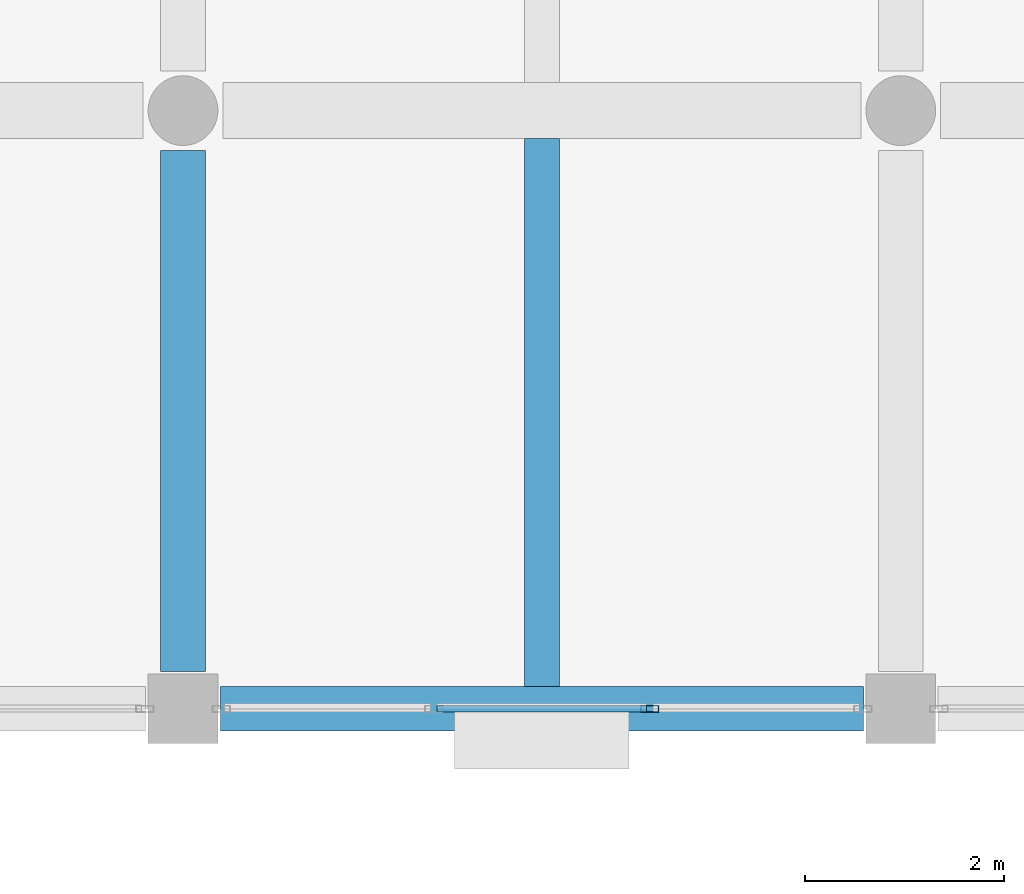
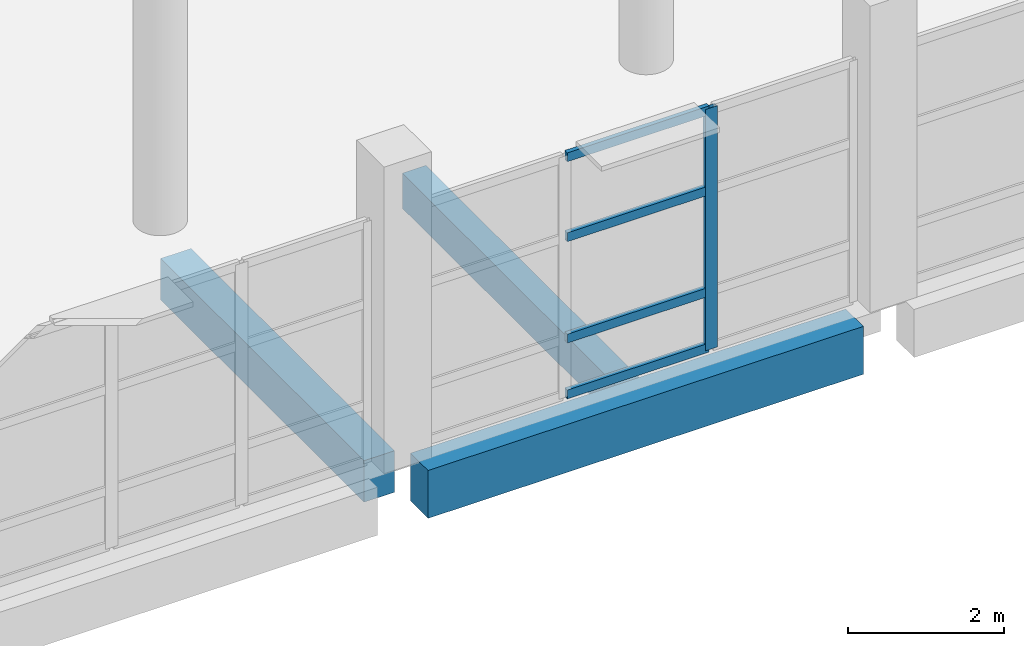
# One storey, part 19 of 91: 5 members, 3 beams, 1 element without a shape of its own.
"""IFC4 building model written with IfcOpenShell, lengths in metres."""

import ifcopenshell
import ifcopenshell.guid

model = None  # the IFC model being written
_history = None  # IfcOwnerHistory: only IFC2X3 demands one
_inside = {}  # id of a spatial element -> (the spatial element, [elements in it])
_under = {}  # id of a project, library or spatial element -> (it, [spatial elements below it])
_declared = {}  # id of a project -> (the project, [libraries it declares])
_typed = {}  # id of a type object -> (the type object, [elements of that type])
_made_of = {}  # id of a material, layer set ... -> (it, [elements and type objects made of it])


def new_model(schema):
    """Start an empty IFC model of exactly this schema.

    Asked for "IFC4X3", IfcOpenShell would pick the latest addendum, in which some entities
    have other attributes; the version numbers below select the first issue.
    IFC2X3 requires an IfcOwnerHistory on every rooted entity: one is made here for all.
    """
    global model, _history
    if schema == "IFC4X3":
        model = ifcopenshell.file(schema_version=(4, 3, 0, 0))
    else:
        model = ifcopenshell.file(schema=schema)
    _inside.clear()
    _under.clear()
    _declared.clear()
    _typed.clear()
    _made_of.clear()
    _history = None
    if model.schema == "IFC2X3":
        org = make("IfcOrganization", Name="unknown")
        user = make(
            "IfcPersonAndOrganization",
            ThePerson=make("IfcPerson", FamilyName="unknown"),
            TheOrganization=org,
        )
        app = make(
            "IfcApplication",
            ApplicationDeveloper=org,
            Version="unknown",
            ApplicationFullName="unknown",
            ApplicationIdentifier="unknown",
        )
        _history = make(
            "IfcOwnerHistory",
            OwningUser=user,
            OwningApplication=app,
            ChangeAction="ADDED",
            CreationDate=0,
        )
    return model


def make(cls, **values):
    """One entity of the class cls with the attributes given. An attribute that is None is left unset."""
    return model.create_entity(
        cls, **{name: value for name, value in values.items() if value is not None}
    )


def rooted(cls, **values):
    """An entity with a GlobalId (a new one), such as an element, a storey or a relation."""
    return make(cls, GlobalId=ifcopenshell.guid.new(), OwnerHistory=_history, **values)


def si_unit(unit_type, name, prefix=None):
    """IfcSIUnit, for example si_unit("LENGTHUNIT", "METRE", prefix="MILLI")."""
    return make("IfcSIUnit", UnitType=unit_type, Prefix=prefix, Name=name)


def assignment(units):
    """IfcUnitAssignment: the units of a project."""
    return None if units is None else make("IfcUnitAssignment", Units=units)


def point(xyz):
    """IfcCartesianPoint."""
    return None if xyz is None else make("IfcCartesianPoint", Coordinates=xyz)


def direction(xyz):
    """IfcDirection."""
    return None if xyz is None else make("IfcDirection", DirectionRatios=xyz)


def frame(location, z_axis=None, x_axis=None):
    """IfcAxis2Placement3D, a coordinate frame: its origin and axes. An axis left out is left unset."""
    return make(
        "IfcAxis2Placement3D",
        Location=point(location),
        Axis=direction(z_axis),
        RefDirection=direction(x_axis),
    )


def frame_2d(location, x_axis=None):
    """IfcAxis2Placement2D, a coordinate frame in the plane: its origin and x axis."""
    return make(
        "IfcAxis2Placement2D", Location=point(location), RefDirection=direction(x_axis)
    )


def origin():
    """The frame at (0, 0, 0) with its axes left unset."""
    return frame((0.0, 0.0, 0.0))


def origin_2d():
    """The frame at (0, 0) in the plane with its x axis left unset."""
    return frame_2d((0.0, 0.0))


def place(relative_to, where):
    """IfcLocalPlacement: puts the frame where relative to a parent placement (None: the world)."""
    return make(
        "IfcLocalPlacement", PlacementRelTo=relative_to, RelativePlacement=where
    )


def context(
    kind, dimensions, precision=None, world=None, true_north=None, identifier=None
):
    """IfcGeometricRepresentationContext, for example the 3D "Model" context."""
    return make(
        "IfcGeometricRepresentationContext",
        ContextIdentifier=identifier,
        ContextType=kind,
        CoordinateSpaceDimension=dimensions,
        Precision=precision,
        WorldCoordinateSystem=world,
        TrueNorth=true_north,
    )


def subcontext(parent, identifier, kind, view, scale=None):
    """IfcGeometricRepresentationSubContext, for example "Body" below "Model"."""
    return make(
        "IfcGeometricRepresentationSubContext",
        ContextIdentifier=identifier,
        ContextType=kind,
        ParentContext=parent,
        TargetScale=scale,
        TargetView=view,
    )


def project(units=None, contexts=None):
    """IfcProject with its units and contexts."""
    return rooted(
        "IfcProject",
        Name="project",
        RepresentationContexts=contexts,
        UnitsInContext=assignment(units),
    )


def spatial(cls, under=None, at=None, **own):
    """A site, building, storey or space (cls), placed at a placement, below another one or the project."""
    s = rooted(cls, ObjectPlacement=at, **own)
    if under is not None:
        _under.setdefault(under.id(), (under, []))[1].append(s)
    return s


def profile(cls, at=None, kind="AREA", **sizes):
    """A parametric profile (cls). Its sizes go by their IFC names, for example OverallWidth=200.0."""
    return make(cls, ProfileType=kind, Position=at, **sizes)


def rectangle(**sizes):
    """IfcRectangleProfileDef."""
    return profile("IfcRectangleProfileDef", **sizes)


def hollow_rectangle(**sizes):
    """IfcRectangleHollowProfileDef."""
    return profile("IfcRectangleHollowProfileDef", **sizes)


def extrude(swept, where, along, depth):
    """IfcExtrudedAreaSolid: the profile swept, set in the frame where, extruded along a direction by depth."""
    return make(
        "IfcExtrudedAreaSolid",
        SweptArea=swept,
        Position=where,
        ExtrudedDirection=direction(along),
        Depth=depth,
    )


def shape(context_of_items, identifier, shape_type, items):
    """IfcShapeRepresentation: the items that make up one representation, for example the "Body"."""
    return make(
        "IfcShapeRepresentation",
        ContextOfItems=context_of_items,
        RepresentationIdentifier=identifier,
        RepresentationType=shape_type,
        Items=items,
    )


def material(Name=None, Category=None):
    """IfcMaterial."""
    return make("IfcMaterial", Name=Name, Category=Category)


def material_profile(
    of_material, cross_section, Name=None, Category=None, Priority=None
):
    """IfcMaterialProfile: a cross section and its material."""
    return make(
        "IfcMaterialProfile",
        Name=Name,
        Material=of_material,
        Profile=cross_section,
        Priority=Priority,
        Category=Category,
    )


def profile_set(profiles, Name=None, composite=None):
    """IfcMaterialProfileSet."""
    return make(
        "IfcMaterialProfileSet",
        Name=Name,
        MaterialProfiles=profiles,
        CompositeProfile=composite,
    )


def made_of(thing, what):
    """Note that an element or type object is made of a material, layer set ...; save() writes the relation."""
    if what is not None:
        _made_of.setdefault(what.id(), (what, []))[1].append(thing)
    return thing


def type_object(cls, material=None, **own):
    """A type object (cls), such as IfcWallType, which elements share."""
    return made_of(rooted(cls, **own), material)


def element(
    cls,
    number,
    at=None,
    inside=None,
    cuts=None,
    type_object=None,
    material=None,
    context=None,
    identifier="Body",
    shape_type=None,
    held_by="IfcProductDefinitionShape",
    body=None,
    shapes=None,
    **own,
):
    """One element of the class cls, such as IfcWall. Its Tag is "e" and its number.

    at: its placement. inside: the storey or other place that contains it. cuts: it is an
    opening in that element (IfcRelVoidsElement). A single representation is given by context,
    identifier, shape_type and body (its items); several are given by shapes. held_by: the class
    of the entity that holds the representations. save() writes the other relations.
    """
    e = rooted(cls, Tag="e%d" % number, ObjectPlacement=at, **own)
    if body is not None:
        shapes = [shape(context, identifier, shape_type, body)]
    if shapes is not None:
        e.Representation = make(held_by, Representations=shapes)
    if inside is not None:
        _inside.setdefault(inside.id(), (inside, []))[1].append(e)
    if cuts is not None:
        rooted(
            "IfcRelVoidsElement", RelatingBuildingElement=cuts, RelatedOpeningElement=e
        )
    if type_object is not None:
        _typed.setdefault(type_object.id(), (type_object, []))[1].append(e)
    return made_of(e, material)


def aggregate(whole, parts):
    """IfcRelAggregates: a whole, such as a stair, and the parts it consists of."""
    return rooted("IfcRelAggregates", RelatingObject=whole, RelatedObjects=parts)


def save(model, path):
    """Write the relations noted so far, then the file.

    IfcRelAggregates (storeys below a building ...), IfcRelContainedInSpatialStructure (elements
    in a storey), IfcRelDefinesByType, IfcRelAssociatesMaterial and IfcRelDeclares: one each for
    every whole, place, type object, material and project.
    """
    for whole, parts in _under.values():
        aggregate(whole, parts)
    for where, things in _inside.values():
        rooted(
            "IfcRelContainedInSpatialStructure",
            RelatedElements=things,
            RelatingStructure=where,
        )
    for kind, things in _typed.values():
        rooted("IfcRelDefinesByType", RelatedObjects=things, RelatingType=kind)
    for what, things in _made_of.values():
        rooted("IfcRelAssociatesMaterial", RelatedObjects=things, RelatingMaterial=what)
    for by, libraries in _declared.values():
        rooted("IfcRelDeclares", RelatingContext=by, RelatedDefinitions=libraries)
    model.write(path)


model = new_model("IFC4")

# Units and contexts
model_context = context("Model", 3, precision=1e-05, world=origin(), true_north=direction((0.0, 1.0)))
body_context = subcontext(model_context, "Body", "Model", "MODEL_VIEW")
ifc_project = project(units=[si_unit("LENGTHUNIT", "METRE"), si_unit("AREAUNIT", "SQUARE_METRE"), si_unit("VOLUMEUNIT", "CUBIC_METRE"), si_unit("PLANEANGLEUNIT", "RADIAN"), si_unit("MASSUNIT", "GRAM", prefix="KILO")], contexts=[model_context])

# Site, building, storey
site_placement = place(None, origin())
site = spatial("IfcSite", under=ifc_project, at=site_placement, CompositionType="ELEMENT")
building_placement = place(site_placement, origin())
building = spatial("IfcBuilding", under=site, at=building_placement, Name="Pellamere Symphony Hall", CompositionType="ELEMENT")
storey_placement = place(building_placement, frame((0.0, 0.0, 5.39990234375)))
storey = spatial("IfcBuildingStorey", under=building, at=storey_placement, Name="L01", CompositionType="ELEMENT", Elevation=5.39990234375)

# Curtain wall, members
ifc_material_1 = material(Name="Thermally Broken Anodised Aluminium 6063-T6 Curtain Wall", Category="aluminium")
curtain_wall_type = type_object("IfcCurtainWallType", Name="Curtain Wall CW-02 (Winter-Garden South Concourse Curtain Wall)", PredefinedType="NOTDEFINED", material=ifc_material_1)
curtain_wall_placement = place(storey_placement, origin())
curtain_wall = element("IfcCurtainWall", 1, at=curtain_wall_placement, inside=storey, type_object=curtain_wall_type, Name="Winter-Garden South Curtain Wall (L01 Bay 3)", PredefinedType="NOTDEFINED")
ifc_material_2 = material(Name="Anodised Architectural Aluminium 6063-T6", Category="aluminium")
ifc_material_profile_1 = material_profile(ifc_material_2, hollow_rectangle(XDim=0.06494140625, YDim=0.179931640625, WallThickness=0.00390625, at=origin_2d()), Name="ALU-M65X180X4")
ifc_profile_set_1 = profile_set([ifc_material_profile_1], Name="Anodised Architectural Aluminium 6063-T6")
member_type_1 = type_object("IfcMemberType", Name="Curtain Wall Mullion ML-02 ALU-M65X180X4", PredefinedType="MULLION", material=ifc_profile_set_1)
member_1_placement = place(storey_placement, frame((63.4833984375, 18.0, 0.0), z_axis=(0.0, 0.0, 1.0), x_axis=(0.0, 1.0, 0.0)))
member_1 = element("IfcMember", 2, at=member_1_placement, type_object=member_type_1, Name="CW2-068 crystal mullion 3", PredefinedType="MULLION", context=body_context, shape_type="SweptSolid", body=[
    extrude(hollow_rectangle(XDim=0.06494140625, YDim=0.179931640625, WallThickness=0.00390625, at=origin_2d()), origin(), (0.0, 0.0, 1.0), 3.780029296875),
])
ifc_material_profile_2 = material_profile(ifc_material_2, hollow_rectangle(XDim=0.06494140625, YDim=0.139892578125, WallThickness=0.00390625, at=origin_2d()), Name="ALU-T65X140X4")
ifc_profile_set_2 = profile_set([ifc_material_profile_2], Name="Anodised Architectural Aluminium 6063-T6")
member_type_2 = type_object("IfcMemberType", Name="Curtain Wall Transom TR-02 ALU-T65X140X4", PredefinedType="USERDEFINED", material=ifc_profile_set_2)
member_2_placement = place(storey_placement, frame((61.34912109375, 18.0, 0.03271484375), z_axis=(1.0, 0.0, 0.0), x_axis=(0.0, 1.0, 0.0)))
member_2 = element("IfcMember", 3, at=member_2_placement, type_object=member_type_2, Name="CW2-068 crystal transom 2.1", ObjectType="TRANSOM", PredefinedType="USERDEFINED", context=body_context, shape_type="SweptSolid", body=[
    extrude(hollow_rectangle(XDim=0.06494140625, YDim=0.139892578125, WallThickness=0.00390625, at=origin_2d()), origin(), (0.0, 0.0, 1.0), 2.101806640625),
])
member_3_placement = place(storey_placement, frame((61.34912109375, 18.0, 0.9072265625), z_axis=(1.0, 0.0, 0.0), x_axis=(0.0, 1.0, 0.0)))
member_3 = element("IfcMember", 4, at=member_3_placement, type_object=member_type_2, Name="CW2-068 crystal transom 2.2", ObjectType="TRANSOM", PredefinedType="USERDEFINED", context=body_context, shape_type="SweptSolid", body=[
    extrude(hollow_rectangle(XDim=0.06494140625, YDim=0.139892578125, WallThickness=0.00390625, at=origin_2d()), origin(), (0.0, 0.0, 1.0), 2.101806640625),
])
member_4_placement = place(storey_placement, frame((61.34912109375, 18.0, 2.494873046875), z_axis=(1.0, 0.0, 0.0), x_axis=(0.0, 1.0, 0.0)))
member_4 = element("IfcMember", 5, at=member_4_placement, type_object=member_type_2, Name="CW2-068 crystal transom 2.3", ObjectType="TRANSOM", PredefinedType="USERDEFINED", context=body_context, shape_type="SweptSolid", body=[
    extrude(hollow_rectangle(XDim=0.06494140625, YDim=0.139892578125, WallThickness=0.00390625, at=origin_2d()), origin(), (0.0, 0.0, 1.0), 2.101806640625),
])
member_5_placement = place(storey_placement, frame((61.34912109375, 18.0, 3.74755859375), z_axis=(1.0, 0.0, 0.0), x_axis=(0.0, 1.0, 0.0)))
member_5 = element("IfcMember", 6, at=member_5_placement, type_object=member_type_2, Name="CW2-068 crystal transom 2.4", ObjectType="TRANSOM", PredefinedType="USERDEFINED", context=body_context, shape_type="SweptSolid", body=[
    extrude(hollow_rectangle(XDim=0.06494140625, YDim=0.139892578125, WallThickness=0.00390625, at=origin_2d()), origin(), (0.0, 0.0, 1.0), 2.101806640625),
])
aggregate(curtain_wall, [member_1, member_2, member_3, member_4, member_5])

# Beams
ifc_material_3 = material(Name="Concrete 40 MPa", Category="concrete")
ifc_material_profile_3 = material_profile(ifc_material_3, rectangle(XDim=0.449951171875, YDim=0.64990234375, at=origin_2d()), Name="RC 450x650")
ifc_profile_set_3 = profile_set([ifc_material_profile_3], Name="Concrete 40 MPa")
beam_type_1 = type_object("IfcBeamType", Name="RC CB-08 450x650", PredefinedType="BEAM", material=ifc_profile_set_3)
beam_1_placement = place(storey_placement, frame((58.800048828125, 18.375, -0.60498046875), z_axis=(0.0, 1.0, 0.0), x_axis=(-1.0, 0.0, 0.0)))
element("IfcBeam", 7, at=beam_1_placement, inside=storey, type_object=beam_type_1, Name="Girder CB-08-Y0756 (L01)", PredefinedType="BEAM", context=body_context, shape_type="SweptSolid", body=[
    extrude(rectangle(XDim=0.449951171875, YDim=0.64990234375, at=origin_2d()), origin(), (0.0, 0.0, 1.0), 5.22509765625),
])
ifc_material_4 = material(Name="Concrete 35 MPa", Category="concrete")
ifc_material_profile_4 = material_profile(ifc_material_4, rectangle(XDim=0.35009765625, YDim=0.550048828125, at=origin_2d()), Name="RC 350x550")
ifc_profile_set_4 = profile_set([ifc_material_profile_4], Name="Concrete 35 MPa")
beam_type_2 = type_object("IfcBeamType", Name="RC CB-10 350x550", PredefinedType="BEAM", material=ifc_profile_set_4)
beam_2_placement = place(storey_placement, frame((62.39990234375, 18.22509765625, -0.56982421875), z_axis=(0.0, 1.0, 0.0), x_axis=(-1.0, 0.0, 0.0)))
element("IfcBeam", 8, at=beam_2_placement, inside=storey, type_object=beam_type_2, Name="Secondary Floor Beam CB-10-M0702 (L01)", PredefinedType="BEAM", context=body_context, shape_type="SweptSolid", body=[
    extrude(rectangle(XDim=0.35009765625, YDim=0.550048828125, at=origin_2d()), origin(), (0.0, 0.0, 1.0), 5.494873046875),
])
ifc_material_profile_5 = material_profile(ifc_material_3, rectangle(XDim=0.449951171875, YDim=0.75, at=origin_2d()), Name="RC 450x750")
ifc_profile_set_5 = profile_set([ifc_material_profile_5], Name="Concrete 40 MPa")
beam_type_3 = type_object("IfcBeamType", Name="RC CB-12 450x750", PredefinedType="SPANDREL", material=ifc_profile_set_5)
beam_3_placement = place(storey_placement, frame((59.175048828125, 18.0, -0.65478515625), z_axis=(1.0, 0.0, 0.0), x_axis=(0.0, 1.0, 0.0)))
element("IfcBeam", 9, at=beam_3_placement, inside=storey, type_object=beam_type_3, Name="Girder CB-12-X0549 (L01)", PredefinedType="SPANDREL", context=body_context, shape_type="SweptSolid", body=[
    extrude(rectangle(XDim=0.449951171875, YDim=0.75, at=origin_2d()), origin(), (0.0, 0.0, 1.0), 6.449951171875),
])

save(model, "model.ifc")
